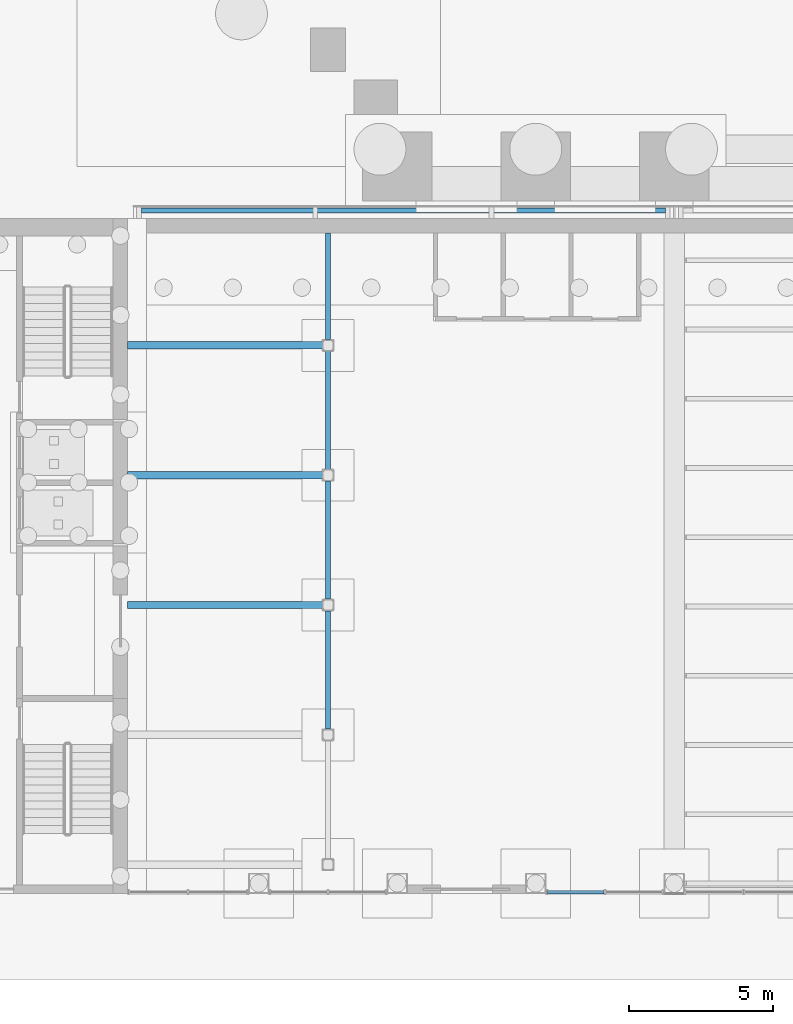
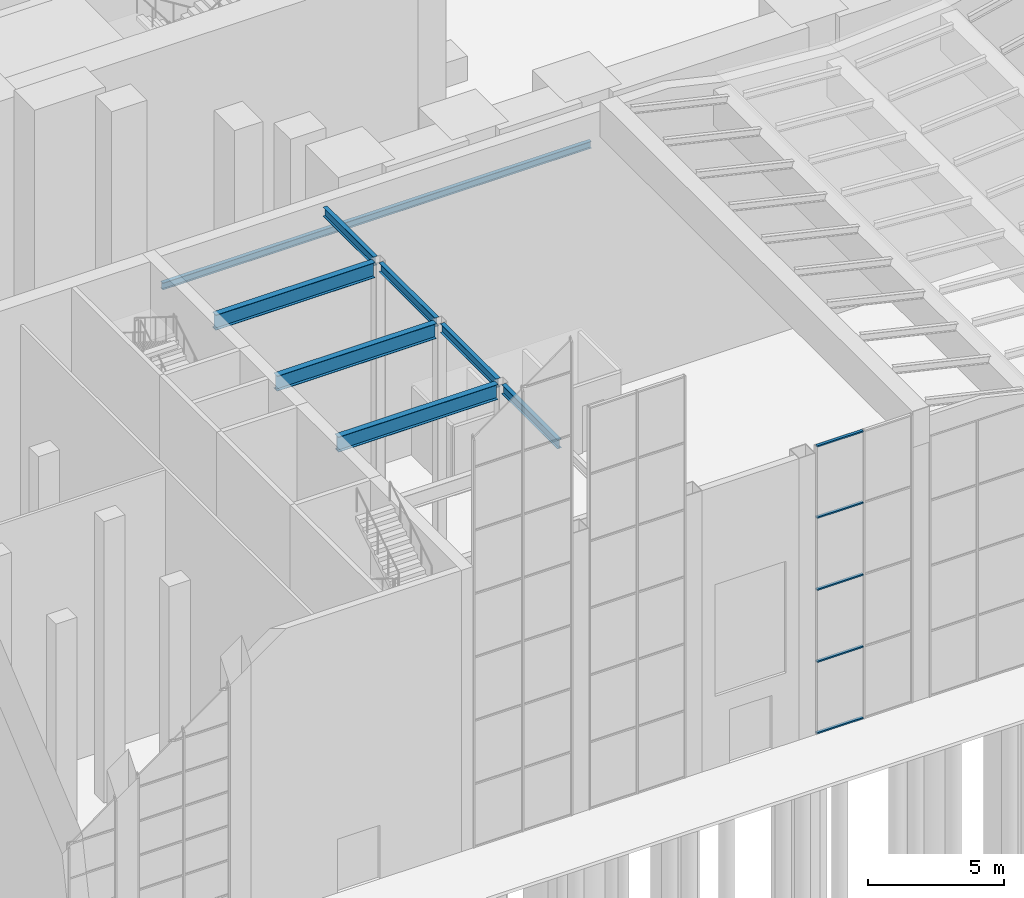
# One storey, part 19 of 58: 8 beams, 5 members, 1 element without a shape of its own.
"""IFC4 building model written with IfcOpenShell, lengths in metres."""

from ifc_helpers import new_model, si_unit, direction, frame, origin, origin_2d, place, context, subcontext, project, spatial, hollow_rectangle, i_section, extrude, material, layer, layer_set, material_profile, profile_set, type_object, element, aggregate, save


model = new_model("IFC4")

# Units and contexts
model_context = context("Model", 3, precision=1e-05, world=origin(), true_north=direction((0.0, 1.0)))
body_context = subcontext(model_context, "Body", "Model", "MODEL_VIEW")
ifc_project = project(units=[si_unit("LENGTHUNIT", "METRE"), si_unit("AREAUNIT", "SQUARE_METRE"), si_unit("VOLUMEUNIT", "CUBIC_METRE"), si_unit("PLANEANGLEUNIT", "RADIAN"), si_unit("MASSUNIT", "GRAM", prefix="KILO")], contexts=[model_context])

# Site, building, storey
site_placement = place(None, origin())
site = spatial("IfcSite", under=ifc_project, at=site_placement, CompositionType="ELEMENT")
building_placement = place(site_placement, origin())
building = spatial("IfcBuilding", under=site, at=building_placement, Name="Baori Bourse Tower", CompositionType="ELEMENT")
storey_placement = place(building_placement, origin())
storey = spatial("IfcBuildingStorey", under=building, at=storey_placement, Name="L00", CompositionType="ELEMENT", Elevation=0.0)

# Beams
ifc_material_1 = material(Name="Steel A992 Gr 50", Category="steel")
ifc_material_profile_1 = material_profile(ifc_material_1, i_section(OverallWidth=0.164794921875, OverallDepth=0.309814453125, WebThickness=0.005859375, FlangeThickness=0.009765625, at=origin_2d()), Name="W12x26")
ifc_profile_set_1 = profile_set([ifc_material_profile_1], Name="Steel A992 Gr 50")
beam_type_1 = type_object("IfcBeamType", Name="Wing beam W12x26", PredefinedType="BEAM", material=ifc_profile_set_1)
beam_1_placement = place(storey_placement, frame((0.732421875, -1.52001953125, 10.64501953125), z_axis=(1.0, 0.0, 0.0), x_axis=(0.0, 1.0, 0.0)))
element("IfcBeam", 1, at=beam_1_placement, inside=storey, type_object=beam_type_1, Name="wing/L00/canopyedgebeam1/001", PredefinedType="BEAM", context=body_context, shape_type="SweptSolid", body=[
    extrude(i_section(OverallWidth=0.164794921875, OverallDepth=0.309814453125, WebThickness=0.005859375, FlangeThickness=0.009765625, at=origin_2d()), origin(), (0.0, 0.0, 1.0), 18.16015625),
])
ifc_material_2 = material(Name="Steel A992 Gr 50", Category="steel")
ifc_material_profile_2 = material_profile(ifc_material_2, i_section(OverallWidth=0.177734375, OverallDepth=0.406494140625, WebThickness=0.0078125, FlangeThickness=0.012939453125, at=origin_2d()), Name="W16x40")
ifc_profile_set_2 = profile_set([ifc_material_profile_2], Name="Steel A992 Gr 50")
beam_type_2 = type_object("IfcBeamType", Name="Wing beam W16x40", PredefinedType="BEAM", material=ifc_profile_set_2)
for number, where, z_axis, x_axis, name in (
    (2, (7.199951171875, -19.5, 12.19677734375), (0.0, 1.0, 0.0), (-1.0, 0.0, 0.0), "wing/L00/galbeam/004"),
    (3, (7.199951171875, -15.0, 12.19677734375), (0.0, 1.0, 0.0), (-1.0, 0.0, 0.0), "wing/L00/galbeam/006"),
    (4, (7.199951171875, -10.5, 12.19677734375), (0.0, 1.0, 0.0), (-1.0, 0.0, 0.0), "wing/L00/galbeam/008"),
):
    element("IfcBeam", number, at=place(storey_placement, frame(where, z_axis=z_axis, x_axis=x_axis)), inside=storey, type_object=beam_type_2, Name=name, PredefinedType="BEAM", context=body_context, shape_type="SweptSolid", body=[
        extrude(i_section(OverallWidth=0.177734375, OverallDepth=0.406494140625, WebThickness=0.0078125, FlangeThickness=0.012939453125, at=origin_2d()), origin(), (0.0, 0.0, 1.0), 4.10009765625),
    ])
beam_2_placement = place(storey_placement, frame((7.199951171875, -6.0, 12.19677734375), z_axis=(0.0, 1.0, 0.0), x_axis=(-1.0, 0.0, 0.0)))
element("IfcBeam", 5, at=beam_2_placement, inside=storey, type_object=beam_type_2, Name="wing/L00/galbeam/010", PredefinedType="BEAM", context=body_context, shape_type="SweptSolid", body=[
    extrude(i_section(OverallWidth=0.177734375, OverallDepth=0.406494140625, WebThickness=0.0078125, FlangeThickness=0.012939453125, at=origin_2d()), origin(), (0.0, 0.0, 1.0), 3.699951171875),
])
ifc_material_3 = material(Name="Steel A992 Gr 50", Category="steel")
ifc_material_profile_3 = material_profile(ifc_material_3, i_section(OverallWidth=0.25390625, OverallDepth=0.67822265625, WebThickness=0.01171875, FlangeThickness=0.016357421875, at=origin_2d()), Name="W27x84")
ifc_profile_set_3 = profile_set([ifc_material_profile_3], Name="Steel A992 Gr 50")
beam_type_3 = type_object("IfcBeamType", Name="Wing beam W27x84", PredefinedType="BEAM", material=ifc_profile_set_3)
for number, where, z_axis, x_axis, name in (
    (6, (0.25, -15.199951171875, 12.060791015625), (1.0, 0.0, 0.0), (0.0, 1.0, 0.0), "wing/L00/galbeam/005"),
    (7, (0.25, -10.699951171875, 12.060791015625), (1.0, 0.0, 0.0), (0.0, 1.0, 0.0), "wing/L00/galbeam/007"),
    (8, (0.25, -6.199951171875, 12.060791015625), (1.0, 0.0, 0.0), (0.0, 1.0, 0.0), "wing/L00/galbeam/009"),
):
    element("IfcBeam", number, at=place(storey_placement, frame(where, z_axis=z_axis, x_axis=x_axis)), inside=storey, type_object=beam_type_3, Name=name, PredefinedType="BEAM", context=body_context, shape_type="SweptSolid", body=[
        extrude(i_section(OverallWidth=0.25390625, OverallDepth=0.67822265625, WebThickness=0.01171875, FlangeThickness=0.016357421875, at=origin_2d()), origin(), (0.0, 0.0, 1.0), 6.75),
    ])

# Curtain wall, members
ifc_material_4 = material(Name="Pale anodised aluminium", Category="aluminium")
ifc_layer = layer(ifc_material_4, 0.10009765625)
ifc_layer_set = layer_set([ifc_layer], Name="Wing curtain wall")
curtain_wall_type = type_object("IfcCurtainWallType", Name="Wing curtain wall", PredefinedType="NOTDEFINED", material=ifc_layer_set)
curtain_wall_placement = place(storey_placement, origin())
curtain_wall = element("IfcCurtainWall", 9, at=curtain_wall_placement, inside=storey, type_object=curtain_wall_type, Name="wing/L00/hallcw/003", PredefinedType="NOTDEFINED")
ifc_material_5 = material(Name="Pale anodised aluminium", Category="aluminium")
ifc_material_profile_4 = material_profile(ifc_material_5, hollow_rectangle(XDim=0.1201171875, YDim=0.06005859375, WallThickness=0.0048828125, at=origin_2d()), Name="Transom 120x60x5")
ifc_profile_set_4 = profile_set([ifc_material_profile_4], Name="Pale anodised aluminium")
member_type = type_object("IfcMemberType", Name="Wing transom 120x60", PredefinedType="USERDEFINED", material=ifc_profile_set_4)
member_1_placement = place(storey_placement, frame((14.81005859375, -25.14990234375, 0.030029296875), z_axis=(1.0, 0.0, 0.0), x_axis=(0.0, 1.0, 0.0)))
member_1 = element("IfcMember", 10, at=member_1_placement, type_object=member_type, Name="X12 transom 1.1", ObjectType="TRANSOM", PredefinedType="USERDEFINED", context=body_context, shape_type="SweptSolid", body=[
    extrude(hollow_rectangle(XDim=0.1201171875, YDim=0.06005859375, WallThickness=0.0048828125, at=origin_2d()), origin(), (0.0, 0.0, 1.0), 1.9599609375),
])
member_2_placement = place(storey_placement, frame((14.81005859375, -25.14990234375, 3.22509765625), z_axis=(1.0, 0.0, 0.0), x_axis=(0.0, 1.0, 0.0)))
member_2 = element("IfcMember", 11, at=member_2_placement, type_object=member_type, Name="X12 transom 1.2", ObjectType="TRANSOM", PredefinedType="USERDEFINED", context=body_context, shape_type="SweptSolid", body=[
    extrude(hollow_rectangle(XDim=0.1201171875, YDim=0.06005859375, WallThickness=0.0048828125, at=origin_2d()), origin(), (0.0, 0.0, 1.0), 1.9599609375),
])
member_3_placement = place(storey_placement, frame((14.81005859375, -25.14990234375, 6.449951171875), z_axis=(1.0, 0.0, 0.0), x_axis=(0.0, 1.0, 0.0)))
member_3 = element("IfcMember", 12, at=member_3_placement, type_object=member_type, Name="X12 transom 1.3", ObjectType="TRANSOM", PredefinedType="USERDEFINED", context=body_context, shape_type="SweptSolid", body=[
    extrude(hollow_rectangle(XDim=0.1201171875, YDim=0.06005859375, WallThickness=0.0048828125, at=origin_2d()), origin(), (0.0, 0.0, 1.0), 1.9599609375),
])
member_4_placement = place(storey_placement, frame((14.81005859375, -25.14990234375, 9.675048828125), z_axis=(1.0, 0.0, 0.0), x_axis=(0.0, 1.0, 0.0)))
member_4 = element("IfcMember", 13, at=member_4_placement, type_object=member_type, Name="X12 transom 1.4", ObjectType="TRANSOM", PredefinedType="USERDEFINED", context=body_context, shape_type="SweptSolid", body=[
    extrude(hollow_rectangle(XDim=0.1201171875, YDim=0.06005859375, WallThickness=0.0048828125, at=origin_2d()), origin(), (0.0, 0.0, 1.0), 1.9599609375),
])
member_5_placement = place(storey_placement, frame((14.81005859375, -25.14990234375, 12.8701171875), z_axis=(1.0, 0.0, 0.0), x_axis=(0.0, 1.0, 0.0)))
member_5 = element("IfcMember", 14, at=member_5_placement, type_object=member_type, Name="X12 transom 1.5", ObjectType="TRANSOM", PredefinedType="USERDEFINED", context=body_context, shape_type="SweptSolid", body=[
    extrude(hollow_rectangle(XDim=0.1201171875, YDim=0.06005859375, WallThickness=0.0048828125, at=origin_2d()), origin(), (0.0, 0.0, 1.0), 1.9599609375),
])
aggregate(curtain_wall, [member_1, member_2, member_3, member_4, member_5])

save(model, "model.ifc")
